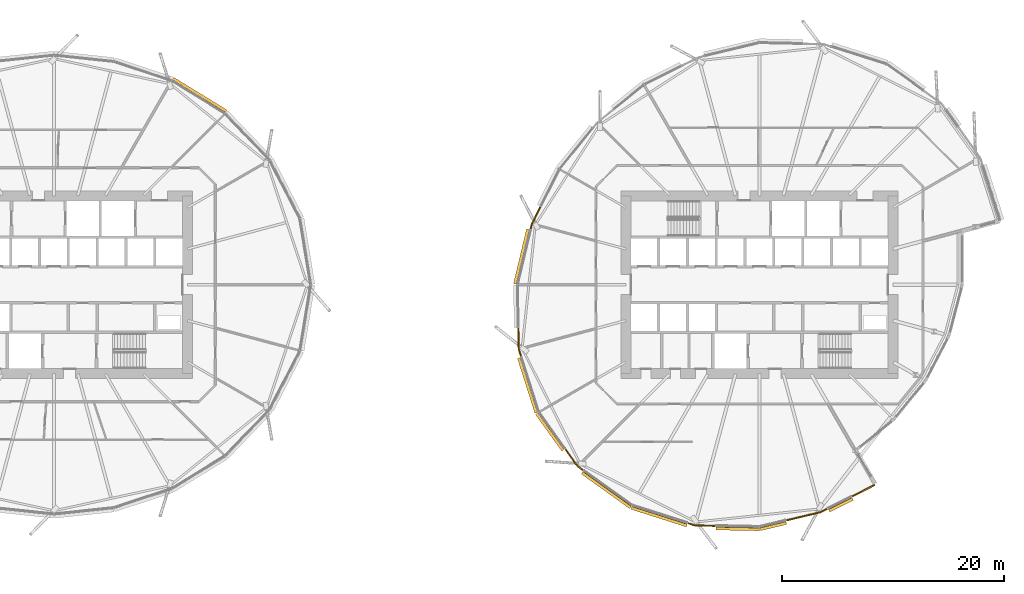
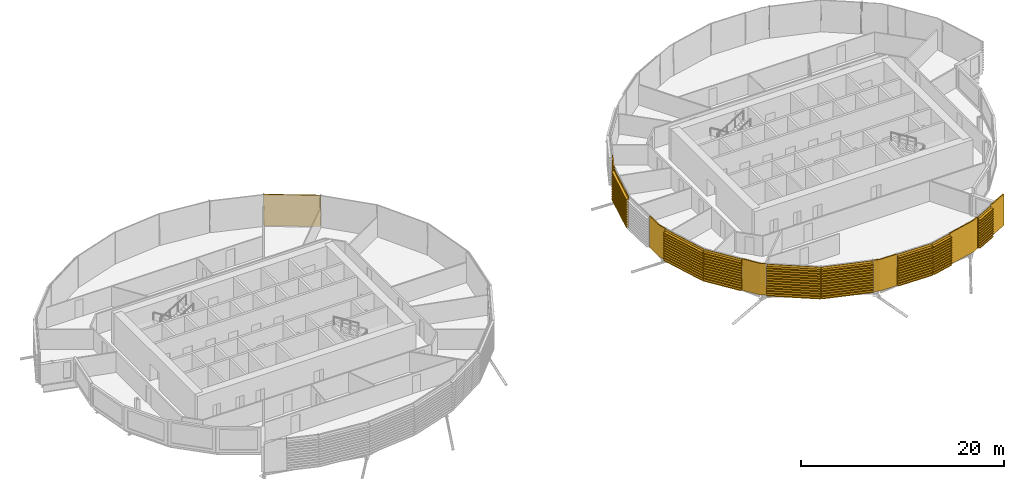
# One storey, part 35 of 37: 15 coverings.
"""IFC4 building model written with IfcOpenShell, lengths in metres."""

from ifc_helpers import new_model, si_unit, direction, frame, origin, place, context, subcontext, project, spatial, polyline, outline, extrude, material, layer, layer_set, material_profile, profile_set, type_object, element, save


model = new_model("IFC4")

# Units and contexts
model_context = context("Model", 3, precision=1e-05, world=origin(), true_north=direction((0.0, 1.0)))
body_context = subcontext(model_context, "Body", "Model", "MODEL_VIEW")
ifc_project = project(units=[si_unit("LENGTHUNIT", "METRE"), si_unit("AREAUNIT", "SQUARE_METRE"), si_unit("VOLUMEUNIT", "CUBIC_METRE"), si_unit("PLANEANGLEUNIT", "RADIAN"), si_unit("MASSUNIT", "GRAM", prefix="KILO")], contexts=[model_context])

# Site, building, storey
site_placement = place(None, origin())
site = spatial("IfcSite", under=ifc_project, at=site_placement, CompositionType="ELEMENT")
building_placement = place(site_placement, origin())
building = spatial("IfcBuilding", under=site, at=building_placement, Name="Rimbun Link Towers", CompositionType="ELEMENT")
storey_placement = place(building_placement, frame((0.0, 0.0, 60.39990234375)))
storey = spatial("IfcBuildingStorey", under=building, at=storey_placement, Name="L14", CompositionType="ELEMENT", Elevation=60.39990234375)

# Coverings
ifc_material_1 = material(Name="Terracotta", Category="masonry")
ifc_layer = layer(ifc_material_1, 0.1201171875)
ifc_layer_set = layer_set([ifc_layer], Name="LINK PIER terracotta cladding 120")
covering_type_1 = type_object("IfcCoveringType", Name="LINK PIER terracotta cladding 120", PredefinedType="CLADDING", material=ifc_layer_set)
covering_1_placement = place(storey_placement, origin())
element("IfcCovering", 1, at=covering_1_placement, inside=storey, type_object=covering_type_1, Name="LINK PIER cladding", PredefinedType="CLADDING", context=body_context, shape_type="SweptSolid", body=[
    extrude(outline(polyline([(11.20751953125, 4.96630859375), (11.328369140625, 5.471923828125), (12.100341796875, 7.009033203125), (11.9931640625, 7.06298828125), (11.21484375, 5.513427734375), (11.0908203125, 4.994140625), (11.20751953125, 4.96630859375)])), origin(), (0.0, 0.0, 1.0), 3.800048828125),
])
covering_2_placement = place(storey_placement, origin())
element("IfcCovering", 2, at=covering_2_placement, inside=storey, type_object=covering_type_1, Name="LINK PIER cladding", PredefinedType="CLADDING", context=body_context, shape_type="SweptSolid", body=[
    extrude(outline(polyline([(10.35986328125, -6.47607421875), (10.1416015625, -5.789794921875), (10.101318359375, -3.870361328125), (9.981201171875, -3.872802734375), (10.02197265625, -5.809814453125), (10.24560546875, -6.512451171875), (10.35986328125, -6.47607421875)])), origin(), (0.0, 0.0, 1.0), 3.800048828125),
])
covering_3_placement = place(storey_placement, origin())
element("IfcCovering", 3, at=covering_3_placement, inside=storey, type_object=covering_type_1, Name="LINK PIER cladding", PredefinedType="CLADDING", context=body_context, shape_type="SweptSolid", body=[
    extrude(outline(polyline([(15.940185546875, -16.675048828125), (15.436279296875, -16.313720703125), (14.317138671875, -14.753662109375), (14.219482421875, -14.82373046875), (15.350341796875, -16.399658203125), (15.8701171875, -16.7724609375), (15.940185546875, -16.675048828125)])), origin(), (0.0, 0.0, 1.0), 3.800048828125),
])
covering_4_placement = place(storey_placement, origin())
element("IfcCovering", 4, at=covering_4_placement, inside=storey, type_object=covering_type_1, Name="LINK PIER cladding", PredefinedType="CLADDING", context=body_context, shape_type="SweptSolid", body=[
    extrude(outline(polyline([(27.82958984375, -21.647705078125), (25.960205078125, -21.6083984375), (25.321533203125, -21.4052734375), (25.28515625, -21.51953125), (25.940185546875, -21.72802734375), (27.8271484375, -21.767578125), (27.82958984375, -21.647705078125)])), origin(), (0.0, 0.0, 1.0), 3.800048828125),
])
covering_5_placement = place(storey_placement, origin())
element("IfcCovering", 5, at=covering_5_placement, inside=storey, type_object=covering_type_1, Name="LINK PIER cladding", PredefinedType="CLADDING", context=body_context, shape_type="SweptSolid", body=[
    extrude(outline(polyline([(42.093505859375, -17.97509765625), (40.046875, -19.0029296875), (40.100830078125, -19.110107421875), (42.147216796875, -18.08251953125), (42.093505859375, -17.97509765625)])), origin(), (0.0, 0.0, 1.0), 3.800048828125),
])
covering_6_placement = place(storey_placement, origin())
element("IfcCovering", 6, at=covering_6_placement, inside=storey, type_object=covering_type_1, Name="LINK PIER cladding", PredefinedType="CLADDING", context=body_context, shape_type="SweptSolid", body=[
    extrude(outline(polyline([(37.865478515625, -20.098388671875), (37.221923828125, -20.421630859375), (34.138916015625, -21.158935546875), (34.166748046875, -21.275634765625), (37.263427734375, -20.53515625), (37.919189453125, -20.205810546875), (37.865478515625, -20.098388671875)])), origin(), (0.0, 0.0, 1.0), 3.800048828125),
])
ifc_material_2 = material(Name="Terracotta", Category="masonry")
ifc_material_profile = material_profile(ifc_material_2, outline(polyline([(0.123046875, 0.0), (0.1630859375, 0.0), (0.1630859375, 0.10009765625), (0.423095703125, 0.10009765625), (0.423095703125, 0.219970703125), (0.1630859375, 0.219970703125), (0.1630859375, 0.39990234375), (0.423095703125, 0.39990234375), (0.423095703125, 0.52001953125), (0.1630859375, 0.52001953125), (0.1630859375, 0.699951171875), (0.423095703125, 0.699951171875), (0.423095703125, 0.820068359375), (0.1630859375, 0.820068359375), (0.1630859375, 1.0), (0.423095703125, 1.0), (0.423095703125, 1.1201171875), (0.1630859375, 1.1201171875), (0.1630859375, 1.300048828125), (0.423095703125, 1.300048828125), (0.423095703125, 1.419921875), (0.1630859375, 1.419921875), (0.1630859375, 1.60009765625), (0.423095703125, 1.60009765625), (0.423095703125, 1.719970703125), (0.1630859375, 1.719970703125), (0.1630859375, 1.89990234375), (0.423095703125, 1.89990234375), (0.423095703125, 2.02001953125), (0.1630859375, 2.02001953125), (0.1630859375, 2.199951171875), (0.423095703125, 2.199951171875), (0.423095703125, 2.320068359375), (0.1630859375, 2.320068359375), (0.1630859375, 2.5), (0.423095703125, 2.5), (0.423095703125, 2.6201171875), (0.1630859375, 2.6201171875), (0.1630859375, 2.800048828125), (0.423095703125, 2.800048828125), (0.423095703125, 2.919921875), (0.1630859375, 2.919921875), (0.1630859375, 3.10009765625), (0.423095703125, 3.10009765625), (0.423095703125, 3.219970703125), (0.1630859375, 3.219970703125), (0.1630859375, 3.39990234375), (0.423095703125, 3.39990234375), (0.423095703125, 3.52001953125), (0.1630859375, 3.52001953125), (0.1630859375, 3.800048828125), (0.123046875, 3.800048828125), (0.123046875, 0.0)])), Name="BAGUETTE 120X300")
ifc_profile_set = profile_set([ifc_material_profile], Name="Terracotta")
covering_type_2 = type_object("IfcCoveringType", Name="TERRACOTTA BAGUETTE 120X300 H3800", PredefinedType="CLADDING", material=ifc_profile_set)
covering_7_placement = place(storey_placement, frame((-21.178955078125, 18.3095703125, 0.0), z_axis=(0.852160023154, -0.523281277076, 0.0), x_axis=(0.523281277076, 0.852160023154, 0.0)))
element("IfcCovering", 7, at=covering_7_placement, inside=storey, type_object=covering_type_2, Name="TERRACOTTA BAGUETTE", PredefinedType="CLADDING", context=body_context, shape_type="SweptSolid", body=[
    extrude(outline(polyline([(0.123046875, 0.0), (0.1630859375, 0.0), (0.1630859375, 0.10009765625), (0.423095703125, 0.10009765625), (0.423095703125, 0.219970703125), (0.1630859375, 0.219970703125), (0.1630859375, 0.39990234375), (0.423095703125, 0.39990234375), (0.423095703125, 0.52001953125), (0.1630859375, 0.52001953125), (0.1630859375, 0.699951171875), (0.423095703125, 0.699951171875), (0.423095703125, 0.820068359375), (0.1630859375, 0.820068359375), (0.1630859375, 1.0), (0.423095703125, 1.0), (0.423095703125, 1.1201171875), (0.1630859375, 1.1201171875), (0.1630859375, 1.300048828125), (0.423095703125, 1.300048828125), (0.423095703125, 1.419921875), (0.1630859375, 1.419921875), (0.1630859375, 1.60009765625), (0.423095703125, 1.60009765625), (0.423095703125, 1.719970703125), (0.1630859375, 1.719970703125), (0.1630859375, 1.89990234375), (0.423095703125, 1.89990234375), (0.423095703125, 2.02001953125), (0.1630859375, 2.02001953125), (0.1630859375, 2.199951171875), (0.423095703125, 2.199951171875), (0.423095703125, 2.320068359375), (0.1630859375, 2.320068359375), (0.1630859375, 2.5), (0.423095703125, 2.5), (0.423095703125, 2.6201171875), (0.1630859375, 2.6201171875), (0.1630859375, 2.800048828125), (0.423095703125, 2.800048828125), (0.423095703125, 2.919921875), (0.1630859375, 2.919921875), (0.1630859375, 3.10009765625), (0.423095703125, 3.10009765625), (0.423095703125, 3.219970703125), (0.1630859375, 3.219970703125), (0.1630859375, 3.39990234375), (0.423095703125, 3.39990234375), (0.423095703125, 3.52001953125), (0.1630859375, 3.52001953125), (0.1630859375, 3.800048828125), (0.123046875, 3.800048828125), (0.123046875, 0.0)])), origin(), (0.0, 0.0, 1.0), 5.626220703125),
])
covering_8_placement = place(storey_placement, frame((10.019775390625, 0.0, 0.0), z_axis=(0.232587059033, 0.972575580595, 0.0), x_axis=(-0.972575580595, 0.232587059033, 0.0)))
element("IfcCovering", 8, at=covering_8_placement, inside=storey, type_object=covering_type_2, Name="TERRACOTTA BAGUETTE", PredefinedType="CLADDING", context=body_context, shape_type="SweptSolid", body=[
    extrude(outline(polyline([(0.123046875, 0.0), (0.1630859375, 0.0), (0.1630859375, 0.10009765625), (0.423095703125, 0.10009765625), (0.423095703125, 0.219970703125), (0.1630859375, 0.219970703125), (0.1630859375, 0.39990234375), (0.423095703125, 0.39990234375), (0.423095703125, 0.52001953125), (0.1630859375, 0.52001953125), (0.1630859375, 0.699951171875), (0.423095703125, 0.699951171875), (0.423095703125, 0.820068359375), (0.1630859375, 0.820068359375), (0.1630859375, 1.0), (0.423095703125, 1.0), (0.423095703125, 1.1201171875), (0.1630859375, 1.1201171875), (0.1630859375, 1.300048828125), (0.423095703125, 1.300048828125), (0.423095703125, 1.419921875), (0.1630859375, 1.419921875), (0.1630859375, 1.60009765625), (0.423095703125, 1.60009765625), (0.423095703125, 1.719970703125), (0.1630859375, 1.719970703125), (0.1630859375, 1.89990234375), (0.423095703125, 1.89990234375), (0.423095703125, 2.02001953125), (0.1630859375, 2.02001953125), (0.1630859375, 2.199951171875), (0.423095703125, 2.199951171875), (0.423095703125, 2.320068359375), (0.1630859375, 2.320068359375), (0.1630859375, 2.5), (0.423095703125, 2.5), (0.423095703125, 2.6201171875), (0.1630859375, 2.6201171875), (0.1630859375, 2.800048828125), (0.423095703125, 2.800048828125), (0.423095703125, 2.919921875), (0.1630859375, 2.919921875), (0.1630859375, 3.10009765625), (0.423095703125, 3.10009765625), (0.423095703125, 3.219970703125), (0.1630859375, 3.219970703125), (0.1630859375, 3.39990234375), (0.423095703125, 3.39990234375), (0.423095703125, 3.52001953125), (0.1630859375, 3.52001953125), (0.1630859375, 3.800048828125), (0.123046875, 3.800048828125), (0.123046875, 0.0)])), origin(), (0.0, 0.0, 1.0), 5.076171875),
])
covering_9_placement = place(storey_placement, frame((11.93798828125, -11.4384765625, 0.0), z_axis=(-0.303069353563, 0.952968502591, 0.0), x_axis=(-0.952968502591, -0.303069353563, 0.0)))
element("IfcCovering", 9, at=covering_9_placement, inside=storey, type_object=covering_type_2, Name="TERRACOTTA BAGUETTE", PredefinedType="CLADDING", context=body_context, shape_type="SweptSolid", body=[
    extrude(outline(polyline([(0.123046875, 0.0), (0.1630859375, 0.0), (0.1630859375, 0.10009765625), (0.423095703125, 0.10009765625), (0.423095703125, 0.219970703125), (0.1630859375, 0.219970703125), (0.1630859375, 0.39990234375), (0.423095703125, 0.39990234375), (0.423095703125, 0.52001953125), (0.1630859375, 0.52001953125), (0.1630859375, 0.699951171875), (0.423095703125, 0.699951171875), (0.423095703125, 0.820068359375), (0.1630859375, 0.820068359375), (0.1630859375, 1.0), (0.423095703125, 1.0), (0.423095703125, 1.1201171875), (0.1630859375, 1.1201171875), (0.1630859375, 1.300048828125), (0.423095703125, 1.300048828125), (0.423095703125, 1.419921875), (0.1630859375, 1.419921875), (0.1630859375, 1.60009765625), (0.423095703125, 1.60009765625), (0.423095703125, 1.719970703125), (0.1630859375, 1.719970703125), (0.1630859375, 1.89990234375), (0.423095703125, 1.89990234375), (0.423095703125, 2.02001953125), (0.1630859375, 2.02001953125), (0.1630859375, 2.199951171875), (0.423095703125, 2.199951171875), (0.423095703125, 2.320068359375), (0.1630859375, 2.320068359375), (0.1630859375, 2.5), (0.423095703125, 2.5), (0.423095703125, 2.6201171875), (0.1630859375, 2.6201171875), (0.1630859375, 2.800048828125), (0.423095703125, 2.800048828125), (0.423095703125, 2.919921875), (0.1630859375, 2.919921875), (0.1630859375, 3.10009765625), (0.423095703125, 3.10009765625), (0.423095703125, 3.219970703125), (0.1630859375, 3.219970703125), (0.1630859375, 3.39990234375), (0.423095703125, 3.39990234375), (0.423095703125, 3.52001953125), (0.1630859375, 3.52001953125), (0.1630859375, 3.800048828125), (0.123046875, 3.800048828125), (0.123046875, 0.0)])), origin(), (0.0, 0.0, 1.0), 5.17724609375),
])
covering_10_placement = place(storey_placement, frame((14.299560546875, -14.729248046875, 0.0), z_axis=(-0.583038497877, 0.812444527333, 0.0), x_axis=(-0.812444527333, -0.583038497877, 0.0)))
element("IfcCovering", 10, at=covering_10_placement, inside=storey, type_object=covering_type_2, Name="TERRACOTTA BAGUETTE", PredefinedType="CLADDING", context=body_context, shape_type="SweptSolid", body=[
    extrude(outline(polyline([(0.123046875, 0.0), (0.1630859375, 0.0), (0.1630859375, 0.10009765625), (0.423095703125, 0.10009765625), (0.423095703125, 0.219970703125), (0.1630859375, 0.219970703125), (0.1630859375, 0.39990234375), (0.423095703125, 0.39990234375), (0.423095703125, 0.52001953125), (0.1630859375, 0.52001953125), (0.1630859375, 0.699951171875), (0.423095703125, 0.699951171875), (0.423095703125, 0.820068359375), (0.1630859375, 0.820068359375), (0.1630859375, 1.0), (0.423095703125, 1.0), (0.423095703125, 1.1201171875), (0.1630859375, 1.1201171875), (0.1630859375, 1.300048828125), (0.423095703125, 1.300048828125), (0.423095703125, 1.419921875), (0.1630859375, 1.419921875), (0.1630859375, 1.60009765625), (0.423095703125, 1.60009765625), (0.423095703125, 1.719970703125), (0.1630859375, 1.719970703125), (0.1630859375, 1.89990234375), (0.423095703125, 1.89990234375), (0.423095703125, 2.02001953125), (0.1630859375, 2.02001953125), (0.1630859375, 2.199951171875), (0.423095703125, 2.199951171875), (0.423095703125, 2.320068359375), (0.1630859375, 2.320068359375), (0.1630859375, 2.5), (0.423095703125, 2.5), (0.423095703125, 2.6201171875), (0.1630859375, 2.6201171875), (0.1630859375, 2.800048828125), (0.423095703125, 2.800048828125), (0.423095703125, 2.919921875), (0.1630859375, 2.919921875), (0.1630859375, 3.10009765625), (0.423095703125, 3.10009765625), (0.423095703125, 3.219970703125), (0.1630859375, 3.219970703125), (0.1630859375, 3.39990234375), (0.423095703125, 3.39990234375), (0.423095703125, 3.52001953125), (0.1630859375, 3.52001953125), (0.1630859375, 3.800048828125), (0.123046875, 3.800048828125), (0.123046875, 0.0)])), origin(), (0.0, 0.0, 1.0), 4.050537109375),
])
covering_11_placement = place(storey_placement, frame((20.3115234375, -19.81201171875, 0.0), z_axis=(-0.812455081964, 0.583023790073, 0.0), x_axis=(-0.583023790073, -0.812455081964, 0.0)))
element("IfcCovering", 11, at=covering_11_placement, inside=storey, type_object=covering_type_2, Name="TERRACOTTA BAGUETTE", PredefinedType="CLADDING", context=body_context, shape_type="SweptSolid", body=[
    extrude(outline(polyline([(0.123046875, 0.0), (0.1630859375, 0.0), (0.1630859375, 0.10009765625), (0.423095703125, 0.10009765625), (0.423095703125, 0.219970703125), (0.1630859375, 0.219970703125), (0.1630859375, 0.39990234375), (0.423095703125, 0.39990234375), (0.423095703125, 0.52001953125), (0.1630859375, 0.52001953125), (0.1630859375, 0.699951171875), (0.423095703125, 0.699951171875), (0.423095703125, 0.820068359375), (0.1630859375, 0.820068359375), (0.1630859375, 1.0), (0.423095703125, 1.0), (0.423095703125, 1.1201171875), (0.1630859375, 1.1201171875), (0.1630859375, 1.300048828125), (0.423095703125, 1.300048828125), (0.423095703125, 1.419921875), (0.1630859375, 1.419921875), (0.1630859375, 1.60009765625), (0.423095703125, 1.60009765625), (0.423095703125, 1.719970703125), (0.1630859375, 1.719970703125), (0.1630859375, 1.89990234375), (0.423095703125, 1.89990234375), (0.423095703125, 2.02001953125), (0.1630859375, 2.02001953125), (0.1630859375, 2.199951171875), (0.423095703125, 2.199951171875), (0.423095703125, 2.320068359375), (0.1630859375, 2.320068359375), (0.1630859375, 2.5), (0.423095703125, 2.5), (0.423095703125, 2.6201171875), (0.1630859375, 2.6201171875), (0.1630859375, 2.800048828125), (0.423095703125, 2.800048828125), (0.423095703125, 2.919921875), (0.1630859375, 2.919921875), (0.1630859375, 3.10009765625), (0.423095703125, 3.10009765625), (0.423095703125, 3.219970703125), (0.1630859375, 3.219970703125), (0.1630859375, 3.39990234375), (0.423095703125, 3.39990234375), (0.423095703125, 3.52001953125), (0.1630859375, 3.52001953125), (0.1630859375, 3.800048828125), (0.123046875, 3.800048828125), (0.123046875, 0.0)])), origin(), (0.0, 0.0, 1.0), 5.350341796875),
])
covering_12_placement = place(storey_placement, frame((25.29296875, -21.396240234375, 0.0), z_axis=(-0.952968707508, 0.303068709225, 0.0), x_axis=(-0.303068709225, -0.952968707508, 0.0)))
element("IfcCovering", 12, at=covering_12_placement, inside=storey, type_object=covering_type_2, Name="TERRACOTTA BAGUETTE", PredefinedType="CLADDING", context=body_context, shape_type="SweptSolid", body=[
    extrude(outline(polyline([(0.123046875, 0.0), (0.1630859375, 0.0), (0.1630859375, 0.10009765625), (0.423095703125, 0.10009765625), (0.423095703125, 0.219970703125), (0.1630859375, 0.219970703125), (0.1630859375, 0.39990234375), (0.423095703125, 0.39990234375), (0.423095703125, 0.52001953125), (0.1630859375, 0.52001953125), (0.1630859375, 0.699951171875), (0.423095703125, 0.699951171875), (0.423095703125, 0.820068359375), (0.1630859375, 0.820068359375), (0.1630859375, 1.0), (0.423095703125, 1.0), (0.423095703125, 1.1201171875), (0.1630859375, 1.1201171875), (0.1630859375, 1.300048828125), (0.423095703125, 1.300048828125), (0.423095703125, 1.419921875), (0.1630859375, 1.419921875), (0.1630859375, 1.60009765625), (0.423095703125, 1.60009765625), (0.423095703125, 1.719970703125), (0.1630859375, 1.719970703125), (0.1630859375, 1.89990234375), (0.423095703125, 1.89990234375), (0.423095703125, 2.02001953125), (0.1630859375, 2.02001953125), (0.1630859375, 2.199951171875), (0.423095703125, 2.199951171875), (0.423095703125, 2.320068359375), (0.1630859375, 2.320068359375), (0.1630859375, 2.5), (0.423095703125, 2.5), (0.423095703125, 2.6201171875), (0.1630859375, 2.6201171875), (0.1630859375, 2.800048828125), (0.423095703125, 2.800048828125), (0.423095703125, 2.919921875), (0.1630859375, 2.919921875), (0.1630859375, 3.10009765625), (0.423095703125, 3.10009765625), (0.423095703125, 3.219970703125), (0.1630859375, 3.219970703125), (0.1630859375, 3.39990234375), (0.423095703125, 3.39990234375), (0.423095703125, 3.52001953125), (0.1630859375, 3.52001953125), (0.1630859375, 3.800048828125), (0.123046875, 3.800048828125), (0.123046875, 0.0)])), origin(), (0.0, 0.0, 1.0), 5.227294921875),
])
covering_13_placement = place(storey_placement, frame((31.75, -21.730224609375, 0.0), z_axis=(-0.999779091943, 0.021018261425, 0.0), x_axis=(-0.021018261425, -0.999779091943, 0.0)))
element("IfcCovering", 13, at=covering_13_placement, inside=storey, type_object=covering_type_2, Name="TERRACOTTA BAGUETTE", PredefinedType="CLADDING", context=body_context, shape_type="SweptSolid", body=[
    extrude(outline(polyline([(0.123046875, 0.0), (0.1630859375, 0.0), (0.1630859375, 0.10009765625), (0.423095703125, 0.10009765625), (0.423095703125, 0.219970703125), (0.1630859375, 0.219970703125), (0.1630859375, 0.39990234375), (0.423095703125, 0.39990234375), (0.423095703125, 0.52001953125), (0.1630859375, 0.52001953125), (0.1630859375, 0.699951171875), (0.423095703125, 0.699951171875), (0.423095703125, 0.820068359375), (0.1630859375, 0.820068359375), (0.1630859375, 1.0), (0.423095703125, 1.0), (0.423095703125, 1.1201171875), (0.1630859375, 1.1201171875), (0.1630859375, 1.300048828125), (0.423095703125, 1.300048828125), (0.423095703125, 1.419921875), (0.1630859375, 1.419921875), (0.1630859375, 1.60009765625), (0.423095703125, 1.60009765625), (0.423095703125, 1.719970703125), (0.1630859375, 1.719970703125), (0.1630859375, 1.89990234375), (0.423095703125, 1.89990234375), (0.423095703125, 2.02001953125), (0.1630859375, 2.02001953125), (0.1630859375, 2.199951171875), (0.423095703125, 2.199951171875), (0.423095703125, 2.320068359375), (0.1630859375, 2.320068359375), (0.1630859375, 2.5), (0.423095703125, 2.5), (0.423095703125, 2.6201171875), (0.1630859375, 2.6201171875), (0.1630859375, 2.800048828125), (0.423095703125, 2.800048828125), (0.423095703125, 2.919921875), (0.1630859375, 2.919921875), (0.1630859375, 3.10009765625), (0.423095703125, 3.10009765625), (0.423095703125, 3.219970703125), (0.1630859375, 3.219970703125), (0.1630859375, 3.39990234375), (0.423095703125, 3.39990234375), (0.423095703125, 3.52001953125), (0.1630859375, 3.52001953125), (0.1630859375, 3.800048828125), (0.123046875, 3.800048828125), (0.123046875, 0.0)])), origin(), (0.0, 0.0, 1.0), 3.891357421875),
])
covering_14_placement = place(storey_placement, frame((34.10986328125, -21.166015625, 0.0), z_axis=(-0.972588786306, -0.232531831694, 0.0), x_axis=(0.232531831694, -0.972588786306, 0.0)))
element("IfcCovering", 14, at=covering_14_placement, inside=storey, type_object=covering_type_2, Name="TERRACOTTA BAGUETTE", PredefinedType="CLADDING", context=body_context, shape_type="SweptSolid", body=[
    extrude(outline(polyline([(0.123046875, 0.0), (0.1630859375, 0.0), (0.1630859375, 0.10009765625), (0.423095703125, 0.10009765625), (0.423095703125, 0.219970703125), (0.1630859375, 0.219970703125), (0.1630859375, 0.39990234375), (0.423095703125, 0.39990234375), (0.423095703125, 0.52001953125), (0.1630859375, 0.52001953125), (0.1630859375, 0.699951171875), (0.423095703125, 0.699951171875), (0.423095703125, 0.820068359375), (0.1630859375, 0.820068359375), (0.1630859375, 1.0), (0.423095703125, 1.0), (0.423095703125, 1.1201171875), (0.1630859375, 1.1201171875), (0.1630859375, 1.300048828125), (0.423095703125, 1.300048828125), (0.423095703125, 1.419921875), (0.1630859375, 1.419921875), (0.1630859375, 1.60009765625), (0.423095703125, 1.60009765625), (0.423095703125, 1.719970703125), (0.1630859375, 1.719970703125), (0.1630859375, 1.89990234375), (0.423095703125, 1.89990234375), (0.423095703125, 2.02001953125), (0.1630859375, 2.02001953125), (0.1630859375, 2.199951171875), (0.423095703125, 2.199951171875), (0.423095703125, 2.320068359375), (0.1630859375, 2.320068359375), (0.1630859375, 2.5), (0.423095703125, 2.5), (0.423095703125, 2.6201171875), (0.1630859375, 2.6201171875), (0.1630859375, 2.800048828125), (0.423095703125, 2.800048828125), (0.423095703125, 2.919921875), (0.1630859375, 2.919921875), (0.1630859375, 3.10009765625), (0.423095703125, 3.10009765625), (0.423095703125, 3.219970703125), (0.1630859375, 3.219970703125), (0.1630859375, 3.39990234375), (0.423095703125, 3.39990234375), (0.423095703125, 3.52001953125), (0.1630859375, 3.52001953125), (0.1630859375, 3.800048828125), (0.123046875, 3.800048828125), (0.123046875, 0.0)])), origin(), (0.0, 0.0, 1.0), 2.42626953125),
])
covering_15_placement = place(storey_placement, frame((40.020263671875, -19.016357421875, 0.0), z_axis=(-0.893646609528, -0.448771364147, 0.0), x_axis=(0.448771364147, -0.893646609528, 0.0)))
element("IfcCovering", 15, at=covering_15_placement, inside=storey, type_object=covering_type_2, Name="TERRACOTTA BAGUETTE", PredefinedType="CLADDING", context=body_context, shape_type="SweptSolid", body=[
    extrude(outline(polyline([(0.123046875, 0.0), (0.1630859375, 0.0), (0.1630859375, 0.10009765625), (0.423095703125, 0.10009765625), (0.423095703125, 0.219970703125), (0.1630859375, 0.219970703125), (0.1630859375, 0.39990234375), (0.423095703125, 0.39990234375), (0.423095703125, 0.52001953125), (0.1630859375, 0.52001953125), (0.1630859375, 0.699951171875), (0.423095703125, 0.699951171875), (0.423095703125, 0.820068359375), (0.1630859375, 0.820068359375), (0.1630859375, 1.0), (0.423095703125, 1.0), (0.423095703125, 1.1201171875), (0.1630859375, 1.1201171875), (0.1630859375, 1.300048828125), (0.423095703125, 1.300048828125), (0.423095703125, 1.419921875), (0.1630859375, 1.419921875), (0.1630859375, 1.60009765625), (0.423095703125, 1.60009765625), (0.423095703125, 1.719970703125), (0.1630859375, 1.719970703125), (0.1630859375, 1.89990234375), (0.423095703125, 1.89990234375), (0.423095703125, 2.02001953125), (0.1630859375, 2.02001953125), (0.1630859375, 2.199951171875), (0.423095703125, 2.199951171875), (0.423095703125, 2.320068359375), (0.1630859375, 2.320068359375), (0.1630859375, 2.5), (0.423095703125, 2.5), (0.423095703125, 2.6201171875), (0.1630859375, 2.6201171875), (0.1630859375, 2.800048828125), (0.423095703125, 2.800048828125), (0.423095703125, 2.919921875), (0.1630859375, 2.919921875), (0.1630859375, 3.10009765625), (0.423095703125, 3.10009765625), (0.423095703125, 3.219970703125), (0.1630859375, 3.219970703125), (0.1630859375, 3.39990234375), (0.423095703125, 3.39990234375), (0.423095703125, 3.52001953125), (0.1630859375, 3.52001953125), (0.1630859375, 3.800048828125), (0.123046875, 3.800048828125), (0.123046875, 0.0)])), origin(), (0.0, 0.0, 1.0), 2.381103515625),
])

save(model, "model.ifc")
